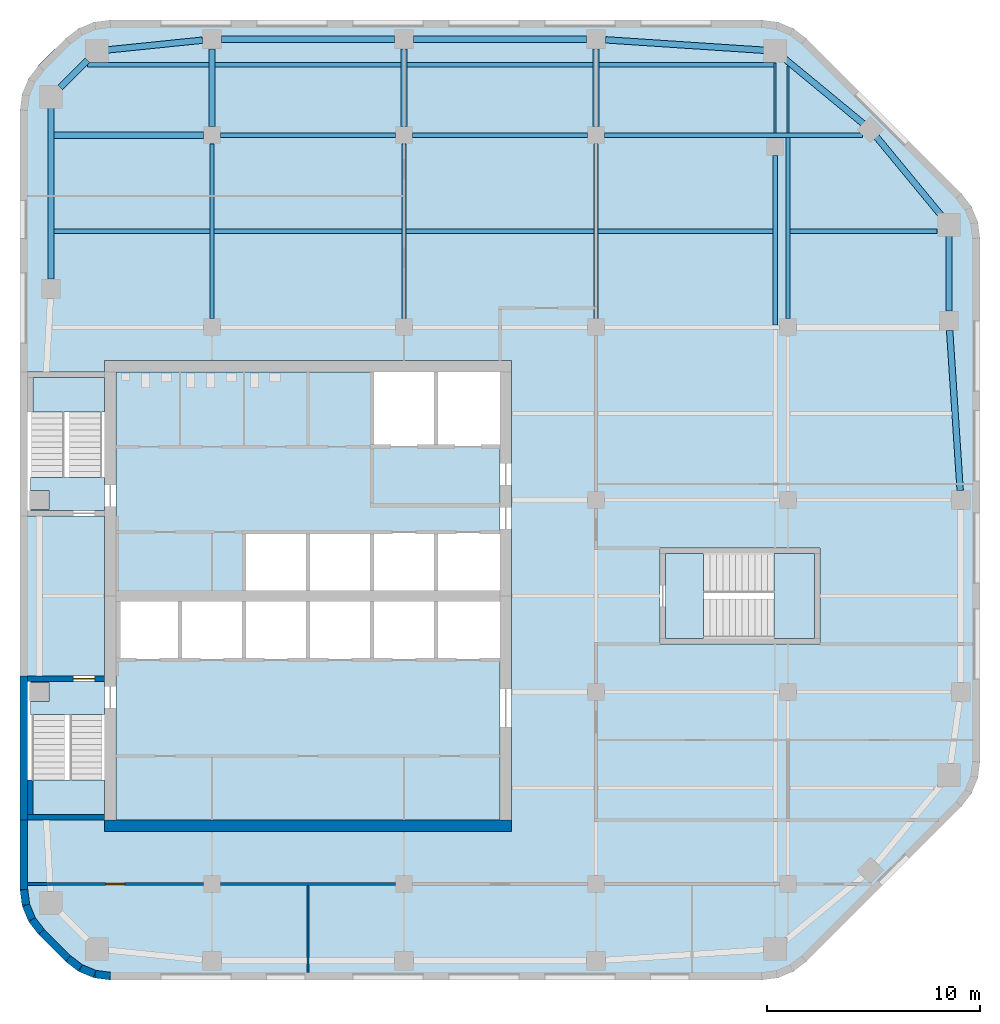
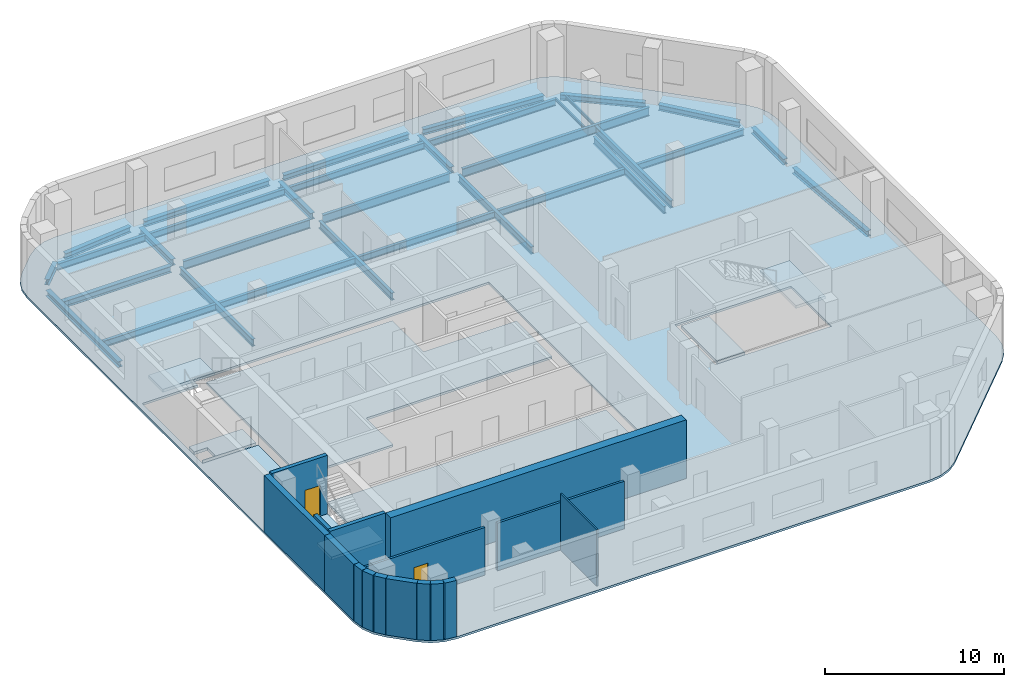
# One storey, part 2 of 7: 33 beams, 16 walls, 9 slabs, 2 doors, 2 openings, 3 elements without a shape of their own.
"""IFC4 building model written with IfcOpenShell, lengths in metres."""

import ifcopenshell
import ifcopenshell.guid

model = None  # the IFC model being written
_history = None  # IfcOwnerHistory: only IFC2X3 demands one
_inside = {}  # id of a spatial element -> (the spatial element, [elements in it])
_under = {}  # id of a project, library or spatial element -> (it, [spatial elements below it])
_declared = {}  # id of a project -> (the project, [libraries it declares])
_typed = {}  # id of a type object -> (the type object, [elements of that type])
_made_of = {}  # id of a material, layer set ... -> (it, [elements and type objects made of it])


def new_model(schema):
    """Start an empty IFC model of exactly this schema.

    Asked for "IFC4X3", IfcOpenShell would pick the latest addendum, in which some entities
    have other attributes; the version numbers below select the first issue.
    IFC2X3 requires an IfcOwnerHistory on every rooted entity: one is made here for all.
    """
    global model, _history
    if schema == "IFC4X3":
        model = ifcopenshell.file(schema_version=(4, 3, 0, 0))
    else:
        model = ifcopenshell.file(schema=schema)
    _inside.clear()
    _under.clear()
    _declared.clear()
    _typed.clear()
    _made_of.clear()
    _history = None
    if model.schema == "IFC2X3":
        org = make("IfcOrganization", Name="unknown")
        user = make(
            "IfcPersonAndOrganization",
            ThePerson=make("IfcPerson", FamilyName="unknown"),
            TheOrganization=org,
        )
        app = make(
            "IfcApplication",
            ApplicationDeveloper=org,
            Version="unknown",
            ApplicationFullName="unknown",
            ApplicationIdentifier="unknown",
        )
        _history = make(
            "IfcOwnerHistory",
            OwningUser=user,
            OwningApplication=app,
            ChangeAction="ADDED",
            CreationDate=0,
        )
    return model


def make(cls, **values):
    """One entity of the class cls with the attributes given. An attribute that is None is left unset."""
    return model.create_entity(
        cls, **{name: value for name, value in values.items() if value is not None}
    )


def rooted(cls, **values):
    """An entity with a GlobalId (a new one), such as an element, a storey or a relation."""
    return make(cls, GlobalId=ifcopenshell.guid.new(), OwnerHistory=_history, **values)


def si_unit(unit_type, name, prefix=None):
    """IfcSIUnit, for example si_unit("LENGTHUNIT", "METRE", prefix="MILLI")."""
    return make("IfcSIUnit", UnitType=unit_type, Prefix=prefix, Name=name)


def assignment(units):
    """IfcUnitAssignment: the units of a project."""
    return None if units is None else make("IfcUnitAssignment", Units=units)


def point(xyz):
    """IfcCartesianPoint."""
    return None if xyz is None else make("IfcCartesianPoint", Coordinates=xyz)


def direction(xyz):
    """IfcDirection."""
    return None if xyz is None else make("IfcDirection", DirectionRatios=xyz)


def frame(location, z_axis=None, x_axis=None):
    """IfcAxis2Placement3D, a coordinate frame: its origin and axes. An axis left out is left unset."""
    return make(
        "IfcAxis2Placement3D",
        Location=point(location),
        Axis=direction(z_axis),
        RefDirection=direction(x_axis),
    )


def frame_2d(location, x_axis=None):
    """IfcAxis2Placement2D, a coordinate frame in the plane: its origin and x axis."""
    return make(
        "IfcAxis2Placement2D", Location=point(location), RefDirection=direction(x_axis)
    )


def origin():
    """The frame at (0, 0, 0) with its axes left unset."""
    return frame((0.0, 0.0, 0.0))


def origin_2d():
    """The frame at (0, 0) in the plane with its x axis left unset."""
    return frame_2d((0.0, 0.0))


def place(relative_to, where):
    """IfcLocalPlacement: puts the frame where relative to a parent placement (None: the world)."""
    return make(
        "IfcLocalPlacement", PlacementRelTo=relative_to, RelativePlacement=where
    )


def context(
    kind, dimensions, precision=None, world=None, true_north=None, identifier=None
):
    """IfcGeometricRepresentationContext, for example the 3D "Model" context."""
    return make(
        "IfcGeometricRepresentationContext",
        ContextIdentifier=identifier,
        ContextType=kind,
        CoordinateSpaceDimension=dimensions,
        Precision=precision,
        WorldCoordinateSystem=world,
        TrueNorth=true_north,
    )


def subcontext(parent, identifier, kind, view, scale=None):
    """IfcGeometricRepresentationSubContext, for example "Body" below "Model"."""
    return make(
        "IfcGeometricRepresentationSubContext",
        ContextIdentifier=identifier,
        ContextType=kind,
        ParentContext=parent,
        TargetScale=scale,
        TargetView=view,
    )


def project(units=None, contexts=None):
    """IfcProject with its units and contexts."""
    return rooted(
        "IfcProject",
        Name="project",
        RepresentationContexts=contexts,
        UnitsInContext=assignment(units),
    )


def spatial(cls, under=None, at=None, **own):
    """A site, building, storey or space (cls), placed at a placement, below another one or the project."""
    s = rooted(cls, ObjectPlacement=at, **own)
    if under is not None:
        _under.setdefault(under.id(), (under, []))[1].append(s)
    return s


def polyline(points):
    """IfcPolyline through the points."""
    return make("IfcPolyline", Points=[point(p) for p in points])


def profile(cls, at=None, kind="AREA", **sizes):
    """A parametric profile (cls). Its sizes go by their IFC names, for example OverallWidth=200.0."""
    return make(cls, ProfileType=kind, Position=at, **sizes)


def rectangle(**sizes):
    """IfcRectangleProfileDef."""
    return profile("IfcRectangleProfileDef", **sizes)


def i_section(**sizes):
    """IfcIShapeProfileDef."""
    return profile("IfcIShapeProfileDef", **sizes)


def outline(outer, holes=None, kind="AREA"):
    """IfcArbitraryClosedProfileDef: a profile drawn as a closed curve; with holes, ...WithVoids."""
    if holes is None:
        return make("IfcArbitraryClosedProfileDef", ProfileType=kind, OuterCurve=outer)
    return make(
        "IfcArbitraryProfileDefWithVoids",
        ProfileType=kind,
        OuterCurve=outer,
        InnerCurves=holes,
    )


def extrude(swept, where, along, depth):
    """IfcExtrudedAreaSolid: the profile swept, set in the frame where, extruded along a direction by depth."""
    return make(
        "IfcExtrudedAreaSolid",
        SweptArea=swept,
        Position=where,
        ExtrudedDirection=direction(along),
        Depth=depth,
    )


def shape(context_of_items, identifier, shape_type, items):
    """IfcShapeRepresentation: the items that make up one representation, for example the "Body"."""
    return make(
        "IfcShapeRepresentation",
        ContextOfItems=context_of_items,
        RepresentationIdentifier=identifier,
        RepresentationType=shape_type,
        Items=items,
    )


def material(Name=None, Category=None):
    """IfcMaterial."""
    return make("IfcMaterial", Name=Name, Category=Category)


def layer(
    of_material, thickness, ventilated=None, Name=None, Category=None, Priority=None
):
    """IfcMaterialLayer: one layer of a wall or slab, of a material (None: an air gap)."""
    return make(
        "IfcMaterialLayer",
        Material=of_material,
        LayerThickness=thickness,
        IsVentilated=ventilated,
        Name=Name,
        Category=Category,
        Priority=Priority,
    )


def layer_set(layers, Name=None):
    """IfcMaterialLayerSet."""
    return make("IfcMaterialLayerSet", MaterialLayers=layers, LayerSetName=Name)


def material_profile(
    of_material, cross_section, Name=None, Category=None, Priority=None
):
    """IfcMaterialProfile: a cross section and its material."""
    return make(
        "IfcMaterialProfile",
        Name=Name,
        Material=of_material,
        Profile=cross_section,
        Priority=Priority,
        Category=Category,
    )


def profile_set(profiles, Name=None, composite=None):
    """IfcMaterialProfileSet."""
    return make(
        "IfcMaterialProfileSet",
        Name=Name,
        MaterialProfiles=profiles,
        CompositeProfile=composite,
    )


def made_of(thing, what):
    """Note that an element or type object is made of a material, layer set ...; save() writes the relation."""
    if what is not None:
        _made_of.setdefault(what.id(), (what, []))[1].append(thing)
    return thing


def type_object(cls, material=None, **own):
    """A type object (cls), such as IfcWallType, which elements share."""
    return made_of(rooted(cls, **own), material)


def element(
    cls,
    number,
    at=None,
    inside=None,
    cuts=None,
    type_object=None,
    material=None,
    context=None,
    identifier="Body",
    shape_type=None,
    held_by="IfcProductDefinitionShape",
    body=None,
    shapes=None,
    **own,
):
    """One element of the class cls, such as IfcWall. Its Tag is "e" and its number.

    at: its placement. inside: the storey or other place that contains it. cuts: it is an
    opening in that element (IfcRelVoidsElement). A single representation is given by context,
    identifier, shape_type and body (its items); several are given by shapes. held_by: the class
    of the entity that holds the representations. save() writes the other relations.
    """
    e = rooted(cls, Tag="e%d" % number, ObjectPlacement=at, **own)
    if body is not None:
        shapes = [shape(context, identifier, shape_type, body)]
    if shapes is not None:
        e.Representation = make(held_by, Representations=shapes)
    if inside is not None:
        _inside.setdefault(inside.id(), (inside, []))[1].append(e)
    if cuts is not None:
        rooted(
            "IfcRelVoidsElement", RelatingBuildingElement=cuts, RelatedOpeningElement=e
        )
    if type_object is not None:
        _typed.setdefault(type_object.id(), (type_object, []))[1].append(e)
    return made_of(e, material)


def fill(opening, filler):
    """IfcRelFillsElement: the door or window that sits in an opening."""
    return rooted(
        "IfcRelFillsElement",
        RelatingOpeningElement=opening,
        RelatedBuildingElement=filler,
    )


def aggregate(whole, parts):
    """IfcRelAggregates: a whole, such as a stair, and the parts it consists of."""
    return rooted("IfcRelAggregates", RelatingObject=whole, RelatedObjects=parts)


def save(model, path):
    """Write the relations noted so far, then the file.

    IfcRelAggregates (storeys below a building ...), IfcRelContainedInSpatialStructure (elements
    in a storey), IfcRelDefinesByType, IfcRelAssociatesMaterial and IfcRelDeclares: one each for
    every whole, place, type object, material and project.
    """
    for whole, parts in _under.values():
        aggregate(whole, parts)
    for where, things in _inside.values():
        rooted(
            "IfcRelContainedInSpatialStructure",
            RelatedElements=things,
            RelatingStructure=where,
        )
    for kind, things in _typed.values():
        rooted("IfcRelDefinesByType", RelatedObjects=things, RelatingType=kind)
    for what, things in _made_of.values():
        rooted("IfcRelAssociatesMaterial", RelatedObjects=things, RelatingMaterial=what)
    for by, libraries in _declared.values():
        rooted("IfcRelDeclares", RelatingContext=by, RelatedDefinitions=libraries)
    model.write(path)


model = new_model("IFC4")

# Units and contexts
model_context = context("Model", 3, precision=1e-05, world=origin(), true_north=direction((0.0, 1.0)))
body_context = subcontext(model_context, "Body", "Model", "MODEL_VIEW")
ifc_project = project(units=[si_unit("LENGTHUNIT", "METRE"), si_unit("AREAUNIT", "SQUARE_METRE"), si_unit("VOLUMEUNIT", "CUBIC_METRE"), si_unit("PLANEANGLEUNIT", "RADIAN"), si_unit("MASSUNIT", "GRAM", prefix="KILO")], contexts=[model_context])

# Site, building, storey
site_placement = place(None, origin())
site = spatial("IfcSite", under=ifc_project, at=site_placement, CompositionType="ELEMENT")
building_placement = place(site_placement, origin())
building = spatial("IfcBuilding", under=site, at=building_placement, Name="Cinnabar Reach Civic Tower", CompositionType="ELEMENT")
storey_placement = place(building_placement, frame((0.0, 0.0, 214.0)))
storey = spatial("IfcBuildingStorey", under=building, at=storey_placement, Name="L51", CompositionType="ELEMENT", Elevation=214.0)

# Beams
ifc_material_1 = material(Name="Steel Q355B", Category="steel")
ifc_material_profile_1 = material_profile(ifc_material_1, i_section(OverallWidth=0.3, OverallDepth=0.39, WebThickness=0.01, FlangeThickness=0.016, FilletRadius=0.013, at=origin_2d()), Name="HM390x300x10x16")
ifc_profile_set_1 = profile_set([ifc_material_profile_1], Name="Steel Q355B")
beam_type_1 = type_object("IfcBeamType", Name="HM390x300x10x16 beam R 180", PredefinedType="BEAM", material=ifc_profile_set_1)
beam_1_placement = place(storey_placement, frame((44.0702, 36.452, -0.345), z_axis=(-0.065709484267, 0.997838796438, 0.0), x_axis=(-0.997838796438, -0.065709484267, 0.0)))
element("IfcBeam", 1, at=beam_1_placement, inside=storey, type_object=beam_type_1, Name="Edge beam T1 L51 9", PredefinedType="BEAM", context=body_context, shape_type="SweptSolid", body=[
    extrude(i_section(OverallWidth=0.3, OverallDepth=0.39, WebThickness=0.01, FlangeThickness=0.016, FilletRadius=0.013, at=origin_2d()), origin(), (0.0, 0.0, 1.0), 7.5103),
])
beam_2_placement = place(storey_placement, frame((43.5469, 44.8501, -0.345), z_axis=(0.0, 1.0, 0.0), x_axis=(-1.0, 0.0, 0.0)))
element("IfcBeam", 2, at=beam_2_placement, inside=storey, type_object=beam_type_1, Name="Edge beam T1 L51 10", PredefinedType="BEAM", context=body_context, shape_type="SweptSolid", body=[
    extrude(i_section(OverallWidth=0.3, OverallDepth=0.39, WebThickness=0.01, FlangeThickness=0.016, FilletRadius=0.013, at=origin_2d()), origin(), (0.0, 0.0, 1.0), 3.616),
])
for number, where, z_axis, x_axis, name in (
    (3, (43.1906, 49.3301, -0.345), (-0.63630880182, 0.771434448755, 0.0), (-0.771434448755, -0.63630880182, 0.0), "Edge beam T1 L51 11"),
    (4, (39.5598, 53.6142, -0.345), (-0.771434448755, 0.63630880182, 0.0), (-0.63630880182, -0.771434448755, 0.0), "Edge beam T1 L51 12"),
):
    element("IfcBeam", number, at=place(storey_placement, frame(where, z_axis=z_axis, x_axis=x_axis)), inside=storey, type_object=beam_type_1, Name=name, PredefinedType="BEAM", context=body_context, shape_type="SweptSolid", body=[
        extrude(i_section(OverallWidth=0.3, OverallDepth=0.39, WebThickness=0.01, FlangeThickness=0.016, FilletRadius=0.013, at=origin_2d()), origin(), (0.0, 0.0, 1.0), 4.8348),
    ])
beam_3_placement = place(storey_placement, frame((34.9661, 57.0754, -0.345), z_axis=(-0.99783894477, 0.065707231721, 0.0), x_axis=(-0.065707231721, -0.99783894477, 0.0)))
element("IfcBeam", 5, at=beam_3_placement, inside=storey, type_object=beam_type_1, Name="Edge beam T1 L51 13", PredefinedType="BEAM", context=body_context, shape_type="SweptSolid", body=[
    extrude(i_section(OverallWidth=0.3, OverallDepth=0.39, WebThickness=0.01, FlangeThickness=0.016, FilletRadius=0.013, at=origin_2d()), origin(), (0.0, 0.0, 1.0), 7.5304),
])
for number, where, z_axis, x_axis, name in (
    (6, (26.548, 57.6, -0.345), (-1.0, 0.0, 0.0), (0.0, -1.0, 0.0), "Edge beam T1 L51 14"),
    (7, (17.548, 57.6, -0.345), (-1.0, 0.0, 0.0), (0.0, -1.0, 0.0), "Edge beam T1 L51 15"),
):
    element("IfcBeam", number, at=place(storey_placement, frame(where, z_axis=z_axis, x_axis=x_axis)), inside=storey, type_object=beam_type_1, Name=name, PredefinedType="BEAM", context=body_context, shape_type="SweptSolid", body=[
        extrude(i_section(OverallWidth=0.3, OverallDepth=0.39, WebThickness=0.01, FlangeThickness=0.016, FilletRadius=0.013, at=origin_2d()), origin(), (0.0, 0.0, 1.0), 8.096),
    ])
beam_4_placement = place(storey_placement, frame((8.548, 57.5537, -0.345), z_axis=(-0.994792272495, -0.101923179821, 0.0), x_axis=(0.101923179821, -0.994792272495, 0.0)))
element("IfcBeam", 8, at=beam_4_placement, inside=storey, type_object=beam_type_1, Name="Edge beam T1 L51 16", PredefinedType="BEAM", context=body_context, shape_type="SweptSolid", body=[
    extrude(i_section(OverallWidth=0.3, OverallDepth=0.39, WebThickness=0.01, FlangeThickness=0.016, FilletRadius=0.013, at=origin_2d()), origin(), (0.0, 0.0, 1.0), 4.5377),
])
beam_5_placement = place(storey_placement, frame((3.1699, 56.6149, -0.345), z_axis=(-0.707106781187, -0.707106781187, 0.0), x_axis=(0.707106781187, -0.707106781187, 0.0)))
element("IfcBeam", 9, at=beam_5_placement, inside=storey, type_object=beam_type_1, Name="Edge beam T1 L51 17", PredefinedType="BEAM", context=body_context, shape_type="SweptSolid", body=[
    extrude(i_section(OverallWidth=0.3, OverallDepth=0.39, WebThickness=0.01, FlangeThickness=0.016, FilletRadius=0.013, at=origin_2d()), origin(), (0.0, 0.0, 1.0), 1.817),
])
beam_6_placement = place(storey_placement, frame((1.4531, 54.4661, -0.345), z_axis=(0.0, -1.0, 0.0), x_axis=(1.0, 0.0, 0.0)))
element("IfcBeam", 10, at=beam_6_placement, inside=storey, type_object=beam_type_1, Name="Edge beam T1 L51 18", PredefinedType="BEAM", context=body_context, shape_type="SweptSolid", body=[
    extrude(i_section(OverallWidth=0.3, OverallDepth=0.39, WebThickness=0.01, FlangeThickness=0.016, FilletRadius=0.013, at=origin_2d()), origin(), (0.0, 0.0, 1.0), 8.116),
])
ifc_material_profile_2 = material_profile(ifc_material_1, i_section(OverallWidth=0.3, OverallDepth=0.44, WebThickness=0.011, FlangeThickness=0.018, FilletRadius=0.016, at=origin_2d()), Name="HM440x300x11x18")
ifc_profile_set_2 = profile_set([ifc_material_profile_2], Name="Steel Q355B")
beam_type_2 = type_object("IfcBeamType", Name="HM440x300x11x18 beam R 180", PredefinedType="BEAM", material=ifc_profile_set_2)
beam_7_placement = place(storey_placement, frame((1.6051, 53.1, -0.37), z_axis=(1.0, 0.0, 0.0), x_axis=(0.0, 1.0, 0.0)))
element("IfcBeam", 11, at=beam_7_placement, inside=storey, type_object=beam_type_2, Name="Girder T1 L51 17", PredefinedType="BEAM", context=body_context, shape_type="SweptSolid", body=[
    extrude(i_section(OverallWidth=0.3, OverallDepth=0.44, WebThickness=0.011, FlangeThickness=0.018, FilletRadius=0.016, at=origin_2d()), origin(), (0.0, 0.0, 1.0), 6.9929),
])
for number, where, z_axis, x_axis, name in (
    (12, (9.0, 53.502, -0.37), (0.0, 1.0, 0.0), (-1.0, 0.0, 0.0), "Girder T1 L51 5"),
    (13, (18.0, 53.502, -0.37), (0.0, 1.0, 0.0), (-1.0, 0.0, 0.0), "Girder T1 L51 10"),
    (14, (27.0, 53.502, -0.37), (0.0, 1.0, 0.0), (-1.0, 0.0, 0.0), "Girder T1 L51 16"),
):
    element("IfcBeam", number, at=place(storey_placement, frame(where, z_axis=z_axis, x_axis=x_axis)), inside=storey, type_object=beam_type_2, Name=name, PredefinedType="BEAM", context=body_context, shape_type="SweptSolid", body=[
        extrude(i_section(OverallWidth=0.3, OverallDepth=0.44, WebThickness=0.011, FlangeThickness=0.018, FilletRadius=0.016, at=origin_2d()), origin(), (0.0, 0.0, 1.0), 3.646),
    ])
ifc_material_profile_3 = material_profile(ifc_material_1, i_section(OverallWidth=0.099, OverallDepth=0.198, WebThickness=0.0045, FlangeThickness=0.007, FilletRadius=0.013, at=origin_2d()), Name="HN200x100x5.5x8")
ifc_profile_set_3 = profile_set([ifc_material_profile_3], Name="Steel Q355B")
beam_type_3 = type_object("IfcBeamType", Name="HN200x100x5.5x8 beam R 180", PredefinedType="BEAM", material=ifc_profile_set_3)
beam_8_placement = place(storey_placement, frame((35.3981, 53.2015, -0.249), z_axis=(0.0, 1.0, 0.0), x_axis=(-1.0, 0.0, 0.0)))
element("IfcBeam", 15, at=beam_8_placement, inside=storey, type_object=beam_type_3, Name="Girder T1 L51 23", PredefinedType="BEAM", context=body_context, shape_type="SweptSolid", body=[
    extrude(i_section(OverallWidth=0.099, OverallDepth=0.198, WebThickness=0.0045, FlangeThickness=0.007, FilletRadius=0.013, at=origin_2d()), origin(), (0.0, 0.0, 1.0), 3.2934),
])
beam_9_placement = place(storey_placement, frame((36.0, 53.2015, -0.249), z_axis=(0.0, 1.0, 0.0), x_axis=(-1.0, 0.0, 0.0)))
element("IfcBeam", 16, at=beam_9_placement, inside=storey, type_object=beam_type_3, Name="Girder T1 L51 30", PredefinedType="BEAM", context=body_context, shape_type="SweptSolid", body=[
    extrude(i_section(OverallWidth=0.099, OverallDepth=0.198, WebThickness=0.0045, FlangeThickness=0.007, FilletRadius=0.013, at=origin_2d()), origin(), (0.0, 0.0, 1.0), 3.1519),
])
ifc_material_profile_4 = material_profile(ifc_material_1, i_section(OverallWidth=0.199, OverallDepth=0.446, WebThickness=0.008, FlangeThickness=0.012, FilletRadius=0.016, at=origin_2d()), Name="HN446x199x8x12")
ifc_profile_set_4 = profile_set([ifc_material_profile_4], Name="Steel Q355B")
beam_type_4 = type_object("IfcBeamType", Name="HN446x199x8x12 beam R 180", PredefinedType="BEAM", material=ifc_profile_set_4)
beam_10_placement = place(storey_placement, frame((1.6051, 48.6, -0.373), z_axis=(1.0, 0.0, 0.0), x_axis=(0.0, 1.0, 0.0)))
element("IfcBeam", 17, at=beam_10_placement, inside=storey, type_object=beam_type_4, Name="Secondary beam T1 L51 11", PredefinedType="BEAM", context=body_context, shape_type="SweptSolid", body=[
    extrude(i_section(OverallWidth=0.199, OverallDepth=0.446, WebThickness=0.008, FlangeThickness=0.012, FilletRadius=0.016, at=origin_2d()), origin(), (0.0, 0.0, 1.0), 7.2929),
])
for number, where, z_axis, x_axis, name in (
    (18, (9.102, 48.6, -0.373), (1.0, 0.0, 0.0), (0.0, 1.0, 0.0), "Secondary beam T1 L51 12"),
    (19, (18.102, 48.6, -0.373), (1.0, 0.0, 0.0), (0.0, 1.0, 0.0), "Secondary beam T1 L51 13"),
):
    element("IfcBeam", number, at=place(storey_placement, frame(where, z_axis=z_axis, x_axis=x_axis)), inside=storey, type_object=beam_type_4, Name=name, PredefinedType="BEAM", context=body_context, shape_type="SweptSolid", body=[
        extrude(i_section(OverallWidth=0.199, OverallDepth=0.446, WebThickness=0.008, FlangeThickness=0.012, FilletRadius=0.016, at=origin_2d()), origin(), (0.0, 0.0, 1.0), 8.796),
    ])
beam_11_placement = place(storey_placement, frame((27.102, 48.6, -0.373), z_axis=(1.0, 0.0, 0.0), x_axis=(0.0, 1.0, 0.0)))
element("IfcBeam", 20, at=beam_11_placement, inside=storey, type_object=beam_type_4, Name="Secondary beam T1 L51 14", PredefinedType="BEAM", context=body_context, shape_type="SweptSolid", body=[
    extrude(i_section(OverallWidth=0.199, OverallDepth=0.446, WebThickness=0.008, FlangeThickness=0.012, FilletRadius=0.016, at=origin_2d()), origin(), (0.0, 0.0, 1.0), 8.1941),
])
beam_12_placement = place(storey_placement, frame((36.102, 48.6, -0.373), z_axis=(1.0, 0.0, 0.0), x_axis=(0.0, 1.0, 0.0)))
element("IfcBeam", 21, at=beam_12_placement, inside=storey, type_object=beam_type_4, Name="Secondary beam T1 L51 15", PredefinedType="BEAM", context=body_context, shape_type="SweptSolid", body=[
    extrude(i_section(OverallWidth=0.199, OverallDepth=0.446, WebThickness=0.008, FlangeThickness=0.012, FilletRadius=0.016, at=origin_2d()), origin(), (0.0, 0.0, 1.0), 6.8929),
])
beam_13_placement = place(storey_placement, frame((3.17, 56.4, -0.373), z_axis=(1.0, 0.0, 0.0), x_axis=(0.0, 1.0, 0.0)))
element("IfcBeam", 22, at=beam_13_placement, inside=storey, type_object=beam_type_4, Name="Secondary beam T1 L51 16", PredefinedType="BEAM", context=body_context, shape_type="SweptSolid", body=[
    extrude(i_section(OverallWidth=0.199, OverallDepth=0.446, WebThickness=0.008, FlangeThickness=0.012, FilletRadius=0.016, at=origin_2d()), origin(), (0.0, 0.0, 1.0), 5.678),
])
for number, where, z_axis, x_axis, name in (
    (23, (9.152, 56.4, -0.373), (1.0, 0.0, 0.0), (0.0, 1.0, 0.0), "Secondary beam T1 L51 17"),
    (24, (18.152, 56.4, -0.373), (1.0, 0.0, 0.0), (0.0, 1.0, 0.0), "Secondary beam T1 L51 18"),
):
    element("IfcBeam", number, at=place(storey_placement, frame(where, z_axis=z_axis, x_axis=x_axis)), inside=storey, type_object=beam_type_4, Name=name, PredefinedType="BEAM", context=body_context, shape_type="SweptSolid", body=[
        extrude(i_section(OverallWidth=0.199, OverallDepth=0.446, WebThickness=0.008, FlangeThickness=0.012, FilletRadius=0.016, at=origin_2d()), origin(), (0.0, 0.0, 1.0), 8.696),
    ])
beam_14_placement = place(storey_placement, frame((27.152, 56.4, -0.373), z_axis=(1.0, 0.0, 0.0), x_axis=(0.0, 1.0, 0.0)))
element("IfcBeam", 25, at=beam_14_placement, inside=storey, type_object=beam_type_4, Name="Secondary beam T1 L51 19", PredefinedType="BEAM", context=body_context, shape_type="SweptSolid", body=[
    extrude(i_section(OverallWidth=0.199, OverallDepth=0.446, WebThickness=0.008, FlangeThickness=0.012, FilletRadius=0.016, at=origin_2d()), origin(), (0.0, 0.0, 1.0), 8.1946),
])
ifc_material_profile_5 = material_profile(ifc_material_1, i_section(OverallWidth=0.2, OverallDepth=0.5, WebThickness=0.01, FlangeThickness=0.016, FilletRadius=0.016, at=origin_2d()), Name="HN500x200x10x16")
ifc_profile_set_5 = profile_set([ifc_material_profile_5], Name="Steel Q355B")
beam_type_5 = type_object("IfcBeamType", Name="HN500x200x10x16 beam R 180", PredefinedType="BEAM", material=ifc_profile_set_5)
for number, where, z_axis, x_axis, name in (
    (26, (9.0, 44.502, -0.4), (0.0, 1.0, 0.0), (-1.0, 0.0, 0.0), "Girder T1 L51 4"),
    (27, (18.0, 44.502, -0.4), (0.0, 1.0, 0.0), (-1.0, 0.0, 0.0), "Girder T1 L51 9"),
    (28, (27.0, 44.502, -0.4), (0.0, 1.0, 0.0), (-1.0, 0.0, 0.0), "Girder T1 L51 15"),
):
    element("IfcBeam", number, at=place(storey_placement, frame(where, z_axis=z_axis, x_axis=x_axis)), inside=storey, type_object=beam_type_5, Name=name, PredefinedType="BEAM", context=body_context, shape_type="SweptSolid", body=[
        extrude(i_section(OverallWidth=0.2, OverallDepth=0.5, WebThickness=0.01, FlangeThickness=0.016, FilletRadius=0.016, at=origin_2d()), origin(), (0.0, 0.0, 1.0), 8.196),
    ])
beam_15_placement = place(storey_placement, frame((35.3981, 44.2015, -0.4), z_axis=(0.0, 1.0, 0.0), x_axis=(-1.0, 0.0, 0.0)))
element("IfcBeam", 29, at=beam_15_placement, inside=storey, type_object=beam_type_5, Name="Girder T1 L51 22", PredefinedType="BEAM", context=body_context, shape_type="SweptSolid", body=[
    extrude(i_section(OverallWidth=0.2, OverallDepth=0.5, WebThickness=0.01, FlangeThickness=0.016, FilletRadius=0.016, at=origin_2d()), origin(), (0.0, 0.0, 1.0), 7.9434),
])
beam_16_placement = place(storey_placement, frame((36.0, 44.502, -0.4), z_axis=(0.0, 1.0, 0.0), x_axis=(-1.0, 0.0, 0.0)))
element("IfcBeam", 30, at=beam_16_placement, inside=storey, type_object=beam_type_5, Name="Girder T1 L51 29", PredefinedType="BEAM", context=body_context, shape_type="SweptSolid", body=[
    extrude(i_section(OverallWidth=0.2, OverallDepth=0.5, WebThickness=0.01, FlangeThickness=0.016, FilletRadius=0.016, at=origin_2d()), origin(), (0.0, 0.0, 1.0), 8.4965),
])
ifc_material_profile_6 = material_profile(ifc_material_1, i_section(OverallWidth=0.199, OverallDepth=0.596, WebThickness=0.01, FlangeThickness=0.015, FilletRadius=0.016, at=origin_2d()), Name="HN596x199x10x15")
ifc_profile_set_6 = profile_set([ifc_material_profile_6], Name="Steel Q355B")
beam_type_6 = type_object("IfcBeamType", Name="HN596x199x10x15 beam R 180", PredefinedType="BEAM", material=ifc_profile_set_6)
for number, where, z_axis, x_axis, name in (
    (31, (9.402, 53.1, -0.448), (1.0, 0.0, 0.0), (0.0, 1.0, 0.0), "Girder T1 L51 18"),
    (32, (18.402, 53.1, -0.448), (1.0, 0.0, 0.0), (0.0, 1.0, 0.0), "Girder T1 L51 19"),
):
    element("IfcBeam", number, at=place(storey_placement, frame(where, z_axis=z_axis, x_axis=x_axis)), inside=storey, type_object=beam_type_6, Name=name, PredefinedType="BEAM", context=body_context, shape_type="SweptSolid", body=[
        extrude(i_section(OverallWidth=0.199, OverallDepth=0.596, WebThickness=0.01, FlangeThickness=0.015, FilletRadius=0.016, at=origin_2d()), origin(), (0.0, 0.0, 1.0), 8.196),
    ])
beam_17_placement = place(storey_placement, frame((27.402, 53.1, -0.448), z_axis=(1.0, 0.0, 0.0), x_axis=(0.0, 1.0, 0.0)))
element("IfcBeam", 33, at=beam_17_placement, inside=storey, type_object=beam_type_6, Name="Girder T1 L51 20", PredefinedType="BEAM", context=body_context, shape_type="SweptSolid", body=[
    extrude(i_section(OverallWidth=0.199, OverallDepth=0.596, WebThickness=0.01, FlangeThickness=0.015, FilletRadius=0.016, at=origin_2d()), origin(), (0.0, 0.0, 1.0), 12.086),
])

# Slab
ifc_material_2 = material(Name="Concrete C40", Category="concrete")
ifc_layer_1 = layer(ifc_material_2, 0.15)
ifc_layer_set_1 = layer_set([ifc_layer_1], Name="Composite floor slab 150 REI 150")
slab_type_1 = type_object("IfcSlabType", Name="Composite floor slab 150 REI 150", PredefinedType="FLOOR", material=ifc_layer_set_1)
slab_1_placement = place(storey_placement, frame((0.0, 0.0, -0.15)))
element("IfcSlab", 34, at=slab_1_placement, inside=storey, type_object=slab_type_1, Name="Composite floor slab 150 T1 L51", PredefinedType="FLOOR", context=body_context, shape_type="SweptSolid", body=[
    extrude(outline(polyline([(0.8787, 15.6213), (0.4019, 16.2426), (0.1022, 16.9662), (0.0, 17.7426), (0.0, 54.2574), (0.1022, 55.0338), (0.4019, 55.7574), (0.8787, 56.3787), (2.1213, 57.6213), (2.7426, 58.0981), (3.4662, 58.3978), (4.2426, 58.5), (34.7574, 58.5), (35.5338, 58.3978), (36.2574, 58.0981), (36.8787, 57.6213), (44.1213, 50.3787), (44.5981, 49.7574), (44.8978, 49.0338), (45.0, 48.2574), (45.0, 23.7426), (44.8978, 22.9662), (44.5981, 22.2426), (44.1213, 21.6213), (36.8787, 14.3787), (36.2574, 13.9019), (35.5338, 13.6022), (34.7574, 13.5), (4.2426, 13.5), (3.4662, 13.6022), (2.7426, 13.9019), (2.1213, 14.3787), (0.8787, 15.6213)]), holes=[polyline([(0.36, 21.0), (3.95, 21.0), (3.95, 20.45), (23.05, 20.45), (23.05, 42.55), (3.95, 42.55), (3.95, 42.0), (0.36, 42.0), (0.36, 35.25), (3.95, 35.25), (3.95, 27.75), (0.36, 27.75), (0.36, 21.0)]), polyline([(30.0, 33.75), (30.0, 29.25), (37.5, 29.25), (37.5, 33.75), (30.0, 33.75)])]), origin(), (0.0, 0.0, 1.0), 0.15),
])

# Stair, slabs
ifc_material_3 = material(Name="Concrete C40/50", Category="concrete")
stair_type = type_object("IfcStairType", Name="T1 Exit stair, half-turn", PredefinedType="HALF_TURN_STAIR", material=ifc_material_3)
stair_1_placement = place(storey_placement, origin())
stair_1 = element("IfcStair", 35, at=stair_1_placement, inside=storey, type_object=stair_type, Name="Stair T1-S1", PredefinedType="HALF_TURN_STAIR")
ifc_layer_2 = layer(ifc_material_3, 0.2)
ifc_layer_set_2 = layer_set([ifc_layer_2], Name="T1 Stair landing 200, Concrete C40/50")
slab_type_2 = type_object("IfcSlabType", Name="T1 Stair landing 200, Concrete C40/50", PredefinedType="LANDING", material=ifc_layer_set_2)
slab_2_placement = place(storey_placement, frame((0.0, 0.0, -0.2)))
slab_2 = element("IfcSlab", 36, at=slab_2_placement, type_object=slab_type_2, Name="T1-S1 landing 1", PredefinedType="LANDING", context=body_context, shape_type="SweptSolid", body=[
    extrude(outline(polyline([(0.5, 27.5), (3.95, 27.5), (3.95, 25.95), (0.5, 25.95), (0.5, 26.55), (1.35, 26.55), (1.35, 27.45), (0.5, 27.45), (0.5, 27.5)])), origin(), (0.0, 0.0, 1.0), 0.2),
])
slab_3_placement = place(storey_placement, frame((0.0, 0.0, 1.8)))
slab_3 = element("IfcSlab", 37, at=slab_3_placement, type_object=slab_type_2, Name="T1-S1 landing 2", PredefinedType="LANDING", context=body_context, shape_type="SweptSolid", body=[
    extrude(outline(polyline([(0.6, 21.25), (0.6, 22.87), (3.95, 22.87), (3.95, 21.25), (0.6, 21.25)])), origin(), (0.0, 0.0, 1.0), 0.2),
])
aggregate(stair_1, [slab_2, slab_3])

stair_2_placement = place(storey_placement, origin())
stair_2 = element("IfcStair", 38, at=stair_2_placement, inside=storey, type_object=stair_type, Name="Stair T1-S2", PredefinedType="HALF_TURN_STAIR")
slab_4_placement = place(storey_placement, frame((0.0, 0.0, -0.2)))
slab_4 = element("IfcSlab", 39, at=slab_4_placement, type_object=slab_type_2, Name="T1-S2 landing 1", PredefinedType="LANDING", context=body_context, shape_type="SweptSolid", body=[
    extrude(outline(polyline([(0.5, 37.05), (3.95, 37.05), (3.95, 35.5), (0.5, 35.5), (0.5, 35.55), (1.35, 35.55), (1.35, 36.45), (0.5, 36.45), (0.5, 37.05)])), origin(), (0.0, 0.0, 1.0), 0.2),
])
slab_5_placement = place(storey_placement, frame((0.0, 0.0, 1.8)))
slab_5 = element("IfcSlab", 40, at=slab_5_placement, type_object=slab_type_2, Name="T1-S2 landing 2", PredefinedType="LANDING", context=body_context, shape_type="SweptSolid", body=[
    extrude(outline(polyline([(0.6, 40.13), (0.6, 41.75), (3.95, 41.75), (3.95, 40.13), (0.6, 40.13)])), origin(), (0.0, 0.0, 1.0), 0.2),
])
aggregate(stair_2, [slab_4, slab_5])

stair_3_placement = place(storey_placement, origin())
stair_3 = element("IfcStair", 41, at=stair_3_placement, inside=storey, type_object=stair_type, Name="Stair T1-S3", PredefinedType="HALF_TURN_STAIR")
slab_6_placement = place(storey_placement, frame((0.0, 0.0, -0.2)))
slab_6 = element("IfcSlab", 42, at=slab_6_placement, type_object=slab_type_2, Name="T1-S3 landing 1", PredefinedType="LANDING", context=body_context, shape_type="SweptSolid", body=[
    extrude(outline(polyline([(30.25, 29.5), (32.05, 29.5), (32.05, 33.5), (30.25, 33.5), (30.25, 29.5)])), origin(), (0.0, 0.0, 1.0), 0.2),
])
slab_7_placement = place(storey_placement, frame((0.0, 0.0, 1.8)))
slab_7 = element("IfcSlab", 43, at=slab_7_placement, type_object=slab_type_2, Name="T1-S3 landing 2", PredefinedType="LANDING", context=body_context, shape_type="SweptSolid", body=[
    extrude(outline(polyline([(35.35, 29.5), (37.25, 29.5), (37.25, 33.5), (35.35, 33.5), (35.35, 29.5)])), origin(), (0.0, 0.0, 1.0), 0.2),
])
aggregate(stair_3, [slab_6, slab_7])

# Slabs
ifc_layer_3 = layer(ifc_material_3, 0.15)
ifc_layer_set_3 = layer_set([ifc_layer_3], Name="T1 core floor slab 150")
slab_type_3 = type_object("IfcSlabType", Name="T1 core floor slab 150", PredefinedType="FLOOR", material=ifc_layer_set_3)
slab_8_placement = place(storey_placement, frame((0.0, 0.0, -0.15)))
element("IfcSlab", 44, at=slab_8_placement, inside=storey, type_object=slab_type_3, Name="Core floor slab L51", PredefinedType="FLOOR", context=body_context, shape_type="SweptSolid", body=[
    extrude(outline(polyline([(22.5, 21.0), (4.5, 21.0), (4.5, 28.5), (7.5, 28.5), (10.5, 28.5), (13.5, 28.5), (16.5, 28.5), (19.5, 28.5), (22.5, 28.5), (22.5, 21.0)])), origin(), (0.0, 0.0, 1.0), 0.15),
])
slab_9_placement = place(storey_placement, frame((0.0, 0.0, -0.15)))
element("IfcSlab", 45, at=slab_9_placement, inside=storey, type_object=slab_type_3, Name="Core floor slab L51", PredefinedType="FLOOR", context=body_context, shape_type="SweptSolid", body=[
    extrude(outline(polyline([(22.5, 34.5), (19.5, 34.5), (16.5, 34.5), (13.5, 34.5), (10.5, 34.5), (10.5, 31.5), (7.5, 31.5), (4.5, 31.5), (4.5, 42.0), (16.5, 42.0), (16.5, 38.5), (19.5, 38.5), (22.5, 38.5), (22.5, 34.5)])), origin(), (0.0, 0.0, 1.0), 0.15),
])

# Walls
ifc_material_4 = material(Name="Facing brick with insulated backing", Category="masonry")
ifc_layer_4 = layer(ifc_material_4, 0.36)
ifc_layer_set_4 = layer_set([ifc_layer_4], Name="Brick corner wall")
wall_type_1 = type_object("IfcWallType", Name="Brick corner wall", PredefinedType="STANDARD", material=ifc_layer_set_4)
for number, where, z_axis, x_axis, name in (
    (46, (0.183, 17.7314, 0.0), (0.0, 0.0, 1.0), (0.13055608231, -0.99144092581, 0.0), "Brick corner wall"),
    (47, (0.2819, 17.0027, 0.0), (0.0, 0.0, 1.0), (0.382702709855, -0.923871547278, 0.0), "Brick corner wall"),
):
    element("IfcWall", number, at=place(storey_placement, frame(where, z_axis=z_axis, x_axis=x_axis)), inside=storey, type_object=wall_type_1, Name=name, PredefinedType="STANDARD", context=body_context, shape_type="SweptSolid", body=[
        extrude(rectangle(XDim=0.7131, YDim=0.36, at=frame_2d((0.3565, 0.0))), origin(), (0.0, 0.0, 1.0), 3.85),
    ])
for number, where, z_axis, x_axis, name in (
    (48, (0.566, 16.3245, 0.0), (0.0, 0.0, 1.0), (0.608802368033, -0.793321924995, 0.0), "Brick corner wall"),
    (49, (2.2587, 14.5002, 0.0), (0.0, 0.0, 1.0), (0.793321924995, -0.608802368033, 0.0), "Brick corner wall"),
):
    element("IfcWall", number, at=place(storey_placement, frame(where, z_axis=z_axis, x_axis=x_axis)), inside=storey, type_object=wall_type_1, Name=name, PredefinedType="STANDARD", context=body_context, shape_type="SweptSolid", body=[
        extrude(rectangle(XDim=0.7132, YDim=0.36, at=frame_2d((0.3566, 0.0))), origin(), (0.0, 0.0, 1.0), 3.85),
    ])
for number, where, z_axis, x_axis, name in (
    (50, (2.8439, 14.0548, 0.0), (0.0, 0.0, 1.0), (0.923871547278, -0.382702709855, 0.0), "Brick corner wall"),
    (51, (3.5244, 13.7761, 0.0), (0.0, 0.0, 1.0), (0.99144092581, -0.13055608231, 0.0), "Brick corner wall"),
):
    element("IfcWall", number, at=place(storey_placement, frame(where, z_axis=z_axis, x_axis=x_axis)), inside=storey, type_object=wall_type_1, Name=name, PredefinedType="STANDARD", context=body_context, shape_type="SweptSolid", body=[
        extrude(rectangle(XDim=0.7131, YDim=0.36, at=frame_2d((0.3565, 0.0))), origin(), (0.0, 0.0, 1.0), 3.85),
    ])
ifc_layer_5 = layer(ifc_material_4, 0.36)
ifc_layer_set_5 = layer_set([ifc_layer_5], Name="Brick pier and spandrel wall")
wall_type_2 = type_object("IfcWallType", Name="Brick pier and spandrel wall", PredefinedType="STANDARD", material=ifc_layer_set_5)
wall_1_placement = place(storey_placement, frame((0.18, 27.75, 0.0), z_axis=(0.0, 0.0, 1.0), x_axis=(0.0, -1.0, 0.0)))
element("IfcWall", 52, at=wall_1_placement, inside=storey, type_object=wall_type_2, Name="Brick facade wall", PredefinedType="STANDARD", context=body_context, shape_type="SweptSolid", body=[
    extrude(rectangle(XDim=6.75, YDim=0.36, at=frame_2d((3.375, 0.0))), origin(), (0.0, 0.0, 1.0), 3.85),
])
wall_2_placement = place(storey_placement, frame((0.18, 21.0, 0.0), z_axis=(0.0, 0.0, 1.0), x_axis=(0.0, -1.0, 0.0)))
element("IfcWall", 53, at=wall_2_placement, inside=storey, type_object=wall_type_2, Name="Brick facade wall", PredefinedType="STANDARD", context=body_context, shape_type="SweptSolid", body=[
    extrude(rectangle(XDim=3.2574, YDim=0.36, at=frame_2d((1.6287, 0.0))), origin(), (0.0, 0.0, 1.0), 3.85),
])
wall_3_placement = place(storey_placement, frame((1.006, 15.7486, 0.0), z_axis=(0.0, 0.0, 1.0), x_axis=(0.707106781187, -0.707106781187, 0.0)))
element("IfcWall", 54, at=wall_3_placement, inside=storey, type_object=wall_type_2, Name="Brick facade wall", PredefinedType="STANDARD", context=body_context, shape_type="SweptSolid", body=[
    extrude(rectangle(XDim=1.7573, YDim=0.36, at=frame_2d((0.8787, 0.0))), origin(), (0.0, 0.0, 1.0), 3.85),
])
ifc_material_5 = material(Name="Concrete C60", Category="concrete")
ifc_layer_6 = layer(ifc_material_5, 0.55)
ifc_layer_set_6 = layer_set([ifc_layer_6], Name="Core wall 550 EI 180")
wall_type_3 = type_object("IfcWallType", Name="Core wall 550 EI 180", PredefinedType="SOLIDWALL", material=ifc_layer_set_6)
wall_4_placement = place(storey_placement, frame((3.95, 20.725, 0.0), z_axis=(0.0, 0.0, 1.0), x_axis=(1.0, 0.0, 0.0)))
element("IfcWall", 55, at=wall_4_placement, inside=storey, type_object=wall_type_3, Name="Core wall T1 L51 S", PredefinedType="SOLIDWALL", context=body_context, shape_type="SweptSolid", body=[
    extrude(rectangle(XDim=19.1, YDim=0.55, at=frame_2d((9.55, 0.0))), origin(), (0.0, 0.0, 1.0), 4.0),
])
ifc_material_6 = material(Name="Gypsum board on steel studs, double layer", Category="steel")
ifc_layer_7 = layer(ifc_material_6, 0.15)
ifc_layer_set_7 = layer_set([ifc_layer_7], Name="Corridor wall 150 T1")
wall_type_4 = type_object("IfcWallType", Name="Corridor wall 150 T1", PredefinedType="PARTITIONING", material=ifc_layer_set_7)
wall_5_placement = place(storey_placement, frame((9.4, 18.0, 0.0), z_axis=(0.0, 0.0, 1.0), x_axis=(1.0, 0.0, 0.0)))
element("IfcWall", 56, at=wall_5_placement, inside=storey, type_object=wall_type_4, Name="Corridor wall 21", PredefinedType="PARTITIONING", context=body_context, shape_type="SweptSolid", body=[
    extrude(rectangle(XDim=8.2, YDim=0.15, at=frame_2d((4.1, 0.0))), origin(), (0.0, 0.0, 1.0), 3.254),
])

# Wall, opening, door
wall_6_placement = place(storey_placement, frame((0.36, 18.0, 0.0), z_axis=(0.0, 0.0, 1.0), x_axis=(1.0, 0.0, 0.0)))
wall_6 = element("IfcWall", 57, at=wall_6_placement, inside=storey, type_object=wall_type_4, Name="Corridor wall 22", PredefinedType="PARTITIONING", context=body_context, shape_type="SweptSolid", body=[
    extrude(rectangle(XDim=8.24, YDim=0.15, at=frame_2d((4.12, 0.0))), origin(), (0.0, 0.0, 1.0), 3.254),
])
opening_1_placement = place(wall_6_placement, frame((3.65, 0.0, 0.0)))
opening_1 = element("IfcOpeningElement", 58, at=opening_1_placement, cuts=wall_6, Name="Opening D5103", PredefinedType="OPENING", context=body_context, shape_type="SweptSolid", body=[
    extrude(rectangle(XDim=0.9, YDim=2.1, at=frame_2d((0.45, 1.05))), frame((0.0, 0.085, 0.0), z_axis=(0.0, -1.0, 0.0), x_axis=(1.0, 0.0, 0.0)), (0.0, 0.0, 1.0), 0.17),
])
ifc_material_7 = material(Name="Timber door leaf in steel frame", Category="steel")
door_type_1 = type_object("IfcDoorType", Name="Single swing door 900 x 2100 corridor T1", OperationType="SINGLE_SWING_LEFT", PredefinedType="DOOR", material=ifc_material_7)
door_1_placement = place(opening_1_placement, frame((0.9, 0.0, 0.0), z_axis=(0.0, 0.0, 1.0), x_axis=(-1.0, 0.0, 0.0)))
door_1 = element("IfcDoor", 59, at=door_1_placement, inside=storey, type_object=door_type_1, Name="Door D5103", OperationType="SINGLE_SWING_LEFT", OverallHeight=2.1, OverallWidth=0.9, PredefinedType="DOOR", context=body_context, shape_type="SweptSolid", body=[
    extrude(rectangle(XDim=0.9, YDim=2.1, at=frame_2d((0.45, 1.05))), frame((0.0, 0.025, 0.0), z_axis=(0.0, -1.0, 0.0), x_axis=(1.0, 0.0, 0.0)), (0.0, 0.0, 1.0), 0.05),
])
fill(opening_1, door_1)

# Walls
ifc_material_8 = material(Name="Gypsum board on steel studs", Category="steel")
ifc_layer_8 = layer(ifc_material_8, 0.1)
ifc_layer_set_8 = layer_set([ifc_layer_8], Name="Partition wall 100 T1")
wall_type_5 = type_object("IfcWallType", Name="Partition wall 100 T1", PredefinedType="PARTITIONING", material=ifc_layer_set_8)
wall_7_placement = place(storey_placement, frame((13.5, 13.86, 0.0), z_axis=(0.0, 0.0, 1.0), x_axis=(0.0, 1.0, 0.0)))
element("IfcWall", 60, at=wall_7_placement, inside=storey, type_object=wall_type_5, Name="Partition wall 50", PredefinedType="PARTITIONING", context=body_context, shape_type="SweptSolid", body=[
    extrude(rectangle(XDim=4.065, YDim=0.1, at=frame_2d((2.0325, 0.0))), origin(), (0.0, 0.0, 1.0), 3.85),
])
ifc_layer_9 = layer(ifc_material_5, 0.25)
ifc_layer_set_9 = layer_set([ifc_layer_9], Name="Stair shaft wall 250 EI 120")
wall_type_6 = type_object("IfcWallType", Name="Stair shaft wall 250 EI 120", PredefinedType="SOLIDWALL", material=ifc_layer_set_9)
wall_8_placement = place(storey_placement, frame((0.36, 21.125, 0.0), z_axis=(0.0, 0.0, 1.0), x_axis=(1.0, 0.0, 0.0)))
element("IfcWall", 61, at=wall_8_placement, inside=storey, type_object=wall_type_6, Name="Stair shaft wall T1-S1 L51", PredefinedType="SOLIDWALL", context=body_context, shape_type="SweptSolid", body=[
    extrude(rectangle(XDim=3.59, YDim=0.25, at=frame_2d((1.795, 0.0))), origin(), (0.0, 0.0, 1.0), 4.0),
])

# Wall, opening, door
wall_9_placement = place(storey_placement, frame((3.95, 27.625, 0.0), z_axis=(0.0, 0.0, 1.0), x_axis=(-1.0, 0.0, 0.0)))
wall_9 = element("IfcWall", 62, at=wall_9_placement, inside=storey, type_object=wall_type_6, Name="Stair shaft wall T1-S1 L51", PredefinedType="SOLIDWALL", context=body_context, shape_type="SweptSolid", body=[
    extrude(rectangle(XDim=3.59, YDim=0.25, at=frame_2d((1.795, 0.0))), origin(), (0.0, 0.0, 1.0), 4.0),
])
opening_2_placement = place(wall_9_placement, frame((0.45, 0.0, 0.0)))
opening_2 = element("IfcOpeningElement", 63, at=opening_2_placement, cuts=wall_9, Name="Opening D5072", PredefinedType="OPENING", context=body_context, shape_type="SweptSolid", body=[
    extrude(rectangle(XDim=1.0, YDim=2.1, at=frame_2d((0.5, 1.05))), frame((0.0, 0.135, 0.0), z_axis=(0.0, -1.0, 0.0), x_axis=(1.0, 0.0, 0.0)), (0.0, 0.0, 1.0), 0.27),
])
door_type_2 = type_object("IfcDoorType", Name="Stair door 1000 x 2100 T1", OperationType="SINGLE_SWING_LEFT", PredefinedType="DOOR", material=ifc_material_7)
door_2_placement = place(opening_2_placement, origin())
door_2 = element("IfcDoor", 64, at=door_2_placement, inside=storey, type_object=door_type_2, Name="Door D5072", OperationType="SINGLE_SWING_LEFT", OverallHeight=2.1, OverallWidth=1.0, PredefinedType="DOOR", context=body_context, shape_type="SweptSolid", body=[
    extrude(rectangle(XDim=1.0, YDim=2.1, at=frame_2d((0.5, 1.05))), frame((0.0, 0.025, 0.0), z_axis=(0.0, -1.0, 0.0), x_axis=(1.0, 0.0, 0.0)), (0.0, 0.0, 1.0), 0.05),
])
fill(opening_2, door_2)

# Wall
ifc_layer_10 = layer(ifc_material_3, 0.24)
ifc_layer_set_10 = layer_set([ifc_layer_10], Name="T1 landing bearer wall 240")
wall_type_7 = type_object("IfcWallType", Name="T1 landing bearer wall 240", PredefinedType="STANDARD", material=ifc_layer_set_10)
wall_10_placement = place(storey_placement, frame((0.48, 21.25, 0.0), z_axis=(0.0, 0.0, 1.0), x_axis=(0.0, 1.0, 0.0)))
element("IfcWall", 65, at=wall_10_placement, inside=storey, type_object=wall_type_7, Name="T1-S1 landing bearer wall", PredefinedType="STANDARD", context=body_context, shape_type="SweptSolid", body=[
    extrude(rectangle(XDim=1.62, YDim=0.24, at=frame_2d((0.81, 0.0))), origin(), (0.0, 0.0, 1.0), 4.0),
])

save(model, "model.ifc")
